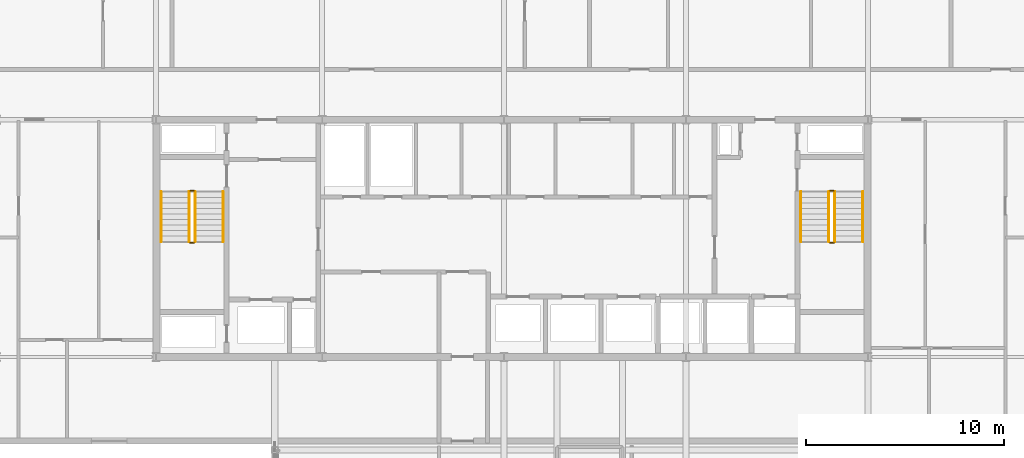
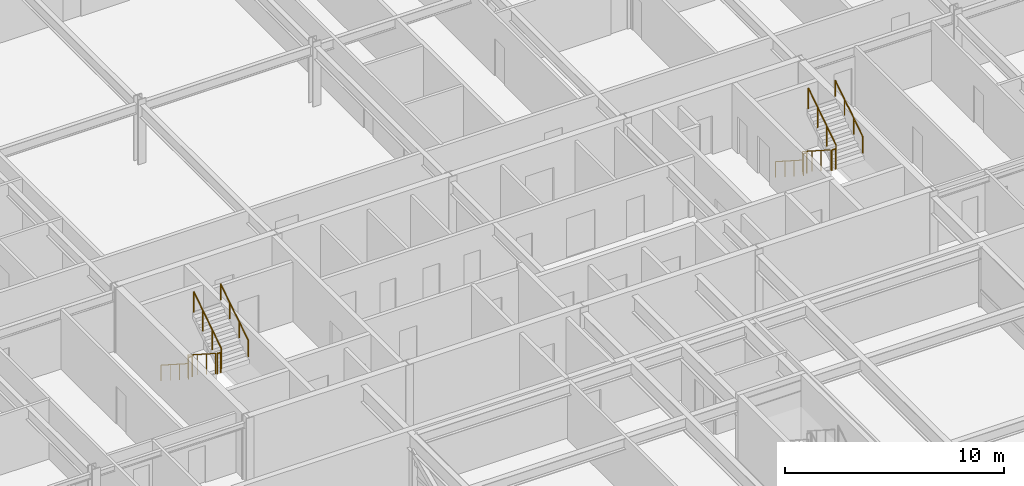
# One storey, part 35 of 36: 12 railings.
"""IFC4 building model written with IfcOpenShell, lengths in metres."""

from ifc_helpers import new_model, si_unit, direction, frame, origin, origin_2d, place, context, subcontext, project, spatial, circle, extrude, material, type_object, element, save


model = new_model("IFC4")

# Units and contexts
model_context = context("Model", 3, precision=1e-05, world=origin(), true_north=direction((0.0, 1.0)))
body_context = subcontext(model_context, "Body", "Model", "MODEL_VIEW")
ifc_project = project(units=[si_unit("LENGTHUNIT", "METRE"), si_unit("AREAUNIT", "SQUARE_METRE"), si_unit("VOLUMEUNIT", "CUBIC_METRE"), si_unit("PLANEANGLEUNIT", "RADIAN"), si_unit("MASSUNIT", "GRAM", prefix="KILO")], contexts=[model_context])

# Site, building, storey
site_placement = place(None, origin())
site = spatial("IfcSite", under=ifc_project, at=site_placement, CompositionType="ELEMENT")
building_placement = place(site_placement, origin())
building = spatial("IfcBuilding", under=site, at=building_placement, Name="Korimba Cascade Residences", CompositionType="ELEMENT")
storey_placement = place(building_placement, frame((0.0, 0.0, 139.300048828125)))
storey = spatial("IfcBuildingStorey", under=building, at=storey_placement, Name="L40", CompositionType="ELEMENT", Elevation=139.300048828125)

# Railings
ifc_material_1 = material(Name="Painted Steel Stairwell Guardrail", Category="steel")
railing_type_1 = type_object("IfcRailingType", Name="RLG-ST-GD1150", PredefinedType="GUARDRAIL", material=ifc_material_1)
railing_1_placement = place(storey_placement, frame((77.77001953125, 63.550048828125, 0.179931640625)))
element("IfcRailing", 1, at=railing_1_placement, inside=storey, type_object=railing_type_1, Name="L40 ST-W1 stair guard 1", PredefinedType="GUARDRAIL", context=body_context, shape_type="SweptSolid", body=[
    extrude(circle(Radius=0.02392578125, at=origin_2d()), frame((0.0, 0.0, 1.1259765625), z_axis=(0.0, -0.841162588446, 0.540782303519), x_axis=(1.0, 0.0, 0.0)), (0.0, 0.0, 1.0), 2.995849609375),
    extrude(circle(Radius=0.02099609375, at=origin_2d()), origin(), (0.0, 0.0, 1.0), 1.101806640625),
    extrude(circle(Radius=0.02099609375, at=origin_2d()), frame((0.0, -0.840087890625, 0.5400390625)), (0.0, 0.0, 1.0), 1.101806640625),
    extrude(circle(Radius=0.02099609375, at=origin_2d()), frame((0.0, -1.679931640625, 1.080078125)), (0.0, 0.0, 1.0), 1.101806640625),
    extrude(circle(Radius=0.02099609375, at=origin_2d()), frame((0.0, -2.52001953125, 1.6201171875)), (0.0, 0.0, 1.0), 1.101806640625),
])
railing_2_placement = place(storey_placement, frame((77.820068359375, 60.97998046875, 1.800048828125)))
element("IfcRailing", 2, at=railing_2_placement, inside=storey, type_object=railing_type_1, Name="L40 ST-W1 stair guard 2", PredefinedType="GUARDRAIL", context=body_context, shape_type="SweptSolid", body=[
    extrude(circle(Radius=0.02392578125, at=origin_2d()), frame((0.0, 0.0, 1.1259765625), z_axis=(1.0, 0.0, 0.0), x_axis=(0.0, 1.0, 0.0)), (0.0, 0.0, 1.0), 0.199951171875),
    extrude(circle(Radius=0.02099609375, at=origin_2d()), origin(), (0.0, 0.0, 1.0), 1.101806640625),
    extrude(circle(Radius=0.02099609375, at=origin_2d()), frame((0.199951171875, 0.0, 0.0)), (0.0, 0.0, 1.0), 1.101806640625),
])
railing_3_placement = place(storey_placement, frame((78.070068359375, 61.030029296875, 1.97998046875)))
element("IfcRailing", 3, at=railing_3_placement, inside=storey, type_object=railing_type_1, Name="L40 ST-W1 stair guard 3", PredefinedType="GUARDRAIL", context=body_context, shape_type="SweptSolid", body=[
    extrude(circle(Radius=0.02392578125, at=origin_2d()), frame((0.0, 0.0, 1.1259765625), z_axis=(0.0, 0.841199657755, 0.540724639528), x_axis=(-1.0, 0.0, 0.0)), (0.0, 0.0, 1.0), 2.995849609375),
    extrude(circle(Radius=0.02099609375, at=origin_2d()), origin(), (0.0, 0.0, 1.0), 1.101806640625),
    extrude(circle(Radius=0.02099609375, at=origin_2d()), frame((0.0, 0.840087890625, 0.5400390625)), (0.0, 0.0, 1.0), 1.101806640625),
    extrude(circle(Radius=0.02099609375, at=origin_2d()), frame((0.0, 1.679931640625, 1.079833984375)), (0.0, 0.0, 1.0), 1.101806640625),
    extrude(circle(Radius=0.02099609375, at=origin_2d()), frame((0.0, 2.52001953125, 1.619873046875)), (0.0, 0.0, 1.0), 1.101806640625),
])
railing_4_placement = place(storey_placement, frame((77.820068359375, 63.60009765625, 0.0)))
element("IfcRailing", 4, at=railing_4_placement, inside=storey, type_object=railing_type_1, Name="L40 ST-W1 stair guard 4", PredefinedType="GUARDRAIL", context=body_context, shape_type="SweptSolid", body=[
    extrude(circle(Radius=0.02392578125, at=origin_2d()), frame((0.0, 0.0, 1.1259765625), z_axis=(1.0, 0.0, 0.0), x_axis=(0.0, 1.0, 0.0)), (0.0, 0.0, 1.0), 0.199951171875),
    extrude(circle(Radius=0.02099609375, at=origin_2d()), origin(), (0.0, 0.0, 1.0), 1.101806640625),
    extrude(circle(Radius=0.02099609375, at=origin_2d()), frame((0.199951171875, 0.0, 0.0)), (0.0, 0.0, 1.0), 1.101806640625),
])
railing_5_placement = place(storey_placement, frame((110.1298828125, 63.550048828125, 0.179931640625)))
element("IfcRailing", 5, at=railing_5_placement, inside=storey, type_object=railing_type_1, Name="L40 ST-W2 stair guard 1", PredefinedType="GUARDRAIL", context=body_context, shape_type="SweptSolid", body=[
    extrude(circle(Radius=0.02392578125, at=origin_2d()), frame((0.0, 0.0, 1.1259765625), z_axis=(0.0, -0.841162588446, 0.540782303519), x_axis=(1.0, 0.0, 0.0)), (0.0, 0.0, 1.0), 2.995849609375),
    extrude(circle(Radius=0.02099609375, at=origin_2d()), origin(), (0.0, 0.0, 1.0), 1.101806640625),
    extrude(circle(Radius=0.02099609375, at=origin_2d()), frame((0.0, -0.840087890625, 0.5400390625)), (0.0, 0.0, 1.0), 1.101806640625),
    extrude(circle(Radius=0.02099609375, at=origin_2d()), frame((0.0, -1.679931640625, 1.080078125)), (0.0, 0.0, 1.0), 1.101806640625),
    extrude(circle(Radius=0.02099609375, at=origin_2d()), frame((0.0, -2.52001953125, 1.6201171875)), (0.0, 0.0, 1.0), 1.101806640625),
])
railing_6_placement = place(storey_placement, frame((110.179931640625, 60.97998046875, 1.800048828125)))
element("IfcRailing", 6, at=railing_6_placement, inside=storey, type_object=railing_type_1, Name="L40 ST-W2 stair guard 2", PredefinedType="GUARDRAIL", context=body_context, shape_type="SweptSolid", body=[
    extrude(circle(Radius=0.02392578125, at=origin_2d()), frame((0.0, 0.0, 1.1259765625), z_axis=(1.0, 0.0, 0.0), x_axis=(0.0, 1.0, 0.0)), (0.0, 0.0, 1.0), 0.199951171875),
    extrude(circle(Radius=0.02099609375, at=origin_2d()), origin(), (0.0, 0.0, 1.0), 1.101806640625),
    extrude(circle(Radius=0.02099609375, at=origin_2d()), frame((0.199951171875, 0.0, 0.0)), (0.0, 0.0, 1.0), 1.101806640625),
])
railing_7_placement = place(storey_placement, frame((110.429931640625, 61.030029296875, 1.97998046875)))
element("IfcRailing", 7, at=railing_7_placement, inside=storey, type_object=railing_type_1, Name="L40 ST-W2 stair guard 3", PredefinedType="GUARDRAIL", context=body_context, shape_type="SweptSolid", body=[
    extrude(circle(Radius=0.02392578125, at=origin_2d()), frame((0.0, 0.0, 1.1259765625), z_axis=(0.0, 0.841199657755, 0.540724639528), x_axis=(-1.0, 0.0, 0.0)), (0.0, 0.0, 1.0), 2.995849609375),
    extrude(circle(Radius=0.02099609375, at=origin_2d()), origin(), (0.0, 0.0, 1.0), 1.101806640625),
    extrude(circle(Radius=0.02099609375, at=origin_2d()), frame((0.0, 0.840087890625, 0.5400390625)), (0.0, 0.0, 1.0), 1.101806640625),
    extrude(circle(Radius=0.02099609375, at=origin_2d()), frame((0.0, 1.679931640625, 1.079833984375)), (0.0, 0.0, 1.0), 1.101806640625),
    extrude(circle(Radius=0.02099609375, at=origin_2d()), frame((0.0, 2.52001953125, 1.619873046875)), (0.0, 0.0, 1.0), 1.101806640625),
])
railing_8_placement = place(storey_placement, frame((110.179931640625, 63.60009765625, 0.0)))
element("IfcRailing", 8, at=railing_8_placement, inside=storey, type_object=railing_type_1, Name="L40 ST-W2 stair guard 4", PredefinedType="GUARDRAIL", context=body_context, shape_type="SweptSolid", body=[
    extrude(circle(Radius=0.02392578125, at=origin_2d()), frame((0.0, 0.0, 1.1259765625), z_axis=(1.0, 0.0, 0.0), x_axis=(0.0, 1.0, 0.0)), (0.0, 0.0, 1.0), 0.199951171875),
    extrude(circle(Radius=0.02099609375, at=origin_2d()), origin(), (0.0, 0.0, 1.0), 1.101806640625),
    extrude(circle(Radius=0.02099609375, at=origin_2d()), frame((0.199951171875, 0.0, 0.0)), (0.0, 0.0, 1.0), 1.101806640625),
])
ifc_material_2 = material(Name="Brushed Stainless Steel Handrail", Category="steel")
railing_type_2 = type_object("IfcRailingType", Name="RLG-ST-HR900", PredefinedType="HANDRAIL", material=ifc_material_2)
railing_9_placement = place(storey_placement, frame((76.35009765625, 63.550048828125, 0.36376953125)))
element("IfcRailing", 9, at=railing_9_placement, inside=storey, type_object=railing_type_2, Name="L40 ST-W1 stair handrail 1", PredefinedType="HANDRAIL", context=body_context, shape_type="SweptSolid", body=[
    extrude(circle(Radius=0.02392578125, at=origin_2d()), frame((0.0, 0.0, 0.8759765625), z_axis=(0.0, -0.841199657755, 0.540724639528), x_axis=(1.0, 0.0, 0.0)), (0.0, 0.0, 1.0), 2.995849609375),
    extrude(circle(Radius=0.02099609375, at=origin_2d()), origin(), (0.0, 0.0, 1.0), 0.851806640625),
    extrude(circle(Radius=0.02099609375, at=origin_2d()), frame((0.0, -0.840087890625, 0.5400390625)), (0.0, 0.0, 1.0), 0.851806640625),
    extrude(circle(Radius=0.02099609375, at=origin_2d()), frame((0.0, -1.679931640625, 1.079833984375)), (0.0, 0.0, 1.0), 0.851806640625),
    extrude(circle(Radius=0.02099609375, at=origin_2d()), frame((0.0, -2.52001953125, 1.619873046875)), (0.0, 0.0, 1.0), 0.851806640625),
])
railing_10_placement = place(storey_placement, frame((79.489990234375, 61.030029296875, 2.163818359375)))
element("IfcRailing", 10, at=railing_10_placement, inside=storey, type_object=railing_type_2, Name="L40 ST-W1 stair handrail 2", PredefinedType="HANDRAIL", context=body_context, shape_type="SweptSolid", body=[
    extrude(circle(Radius=0.02392578125, at=origin_2d()), frame((0.0, 0.0, 0.8759765625), z_axis=(0.0, 0.841199657755, 0.540724639528), x_axis=(-1.0, 0.0, 0.0)), (0.0, 0.0, 1.0), 2.995849609375),
    extrude(circle(Radius=0.02099609375, at=origin_2d()), origin(), (0.0, 0.0, 1.0), 0.851806640625),
    extrude(circle(Radius=0.02099609375, at=origin_2d()), frame((0.0, 0.840087890625, 0.5400390625)), (0.0, 0.0, 1.0), 0.851806640625),
    extrude(circle(Radius=0.02099609375, at=origin_2d()), frame((0.0, 1.679931640625, 1.079833984375)), (0.0, 0.0, 1.0), 0.851806640625),
    extrude(circle(Radius=0.02099609375, at=origin_2d()), frame((0.0, 2.52001953125, 1.619873046875)), (0.0, 0.0, 1.0), 0.851806640625),
])
railing_11_placement = place(storey_placement, frame((108.7099609375, 63.550048828125, 0.36376953125)))
element("IfcRailing", 11, at=railing_11_placement, inside=storey, type_object=railing_type_2, Name="L40 ST-W2 stair handrail 1", PredefinedType="HANDRAIL", context=body_context, shape_type="SweptSolid", body=[
    extrude(circle(Radius=0.02392578125, at=origin_2d()), frame((0.0, 0.0, 0.8759765625), z_axis=(0.0, -0.841199657755, 0.540724639528), x_axis=(1.0, 0.0, 0.0)), (0.0, 0.0, 1.0), 2.995849609375),
    extrude(circle(Radius=0.02099609375, at=origin_2d()), origin(), (0.0, 0.0, 1.0), 0.851806640625),
    extrude(circle(Radius=0.02099609375, at=origin_2d()), frame((0.0, -0.840087890625, 0.5400390625)), (0.0, 0.0, 1.0), 0.851806640625),
    extrude(circle(Radius=0.02099609375, at=origin_2d()), frame((0.0, -1.679931640625, 1.079833984375)), (0.0, 0.0, 1.0), 0.851806640625),
    extrude(circle(Radius=0.02099609375, at=origin_2d()), frame((0.0, -2.52001953125, 1.619873046875)), (0.0, 0.0, 1.0), 0.851806640625),
])
railing_12_placement = place(storey_placement, frame((111.85009765625, 61.030029296875, 2.163818359375)))
element("IfcRailing", 12, at=railing_12_placement, inside=storey, type_object=railing_type_2, Name="L40 ST-W2 stair handrail 2", PredefinedType="HANDRAIL", context=body_context, shape_type="SweptSolid", body=[
    extrude(circle(Radius=0.02392578125, at=origin_2d()), frame((0.0, 0.0, 0.8759765625), z_axis=(0.0, 0.841199657755, 0.540724639528), x_axis=(-1.0, 0.0, 0.0)), (0.0, 0.0, 1.0), 2.995849609375),
    extrude(circle(Radius=0.02099609375, at=origin_2d()), origin(), (0.0, 0.0, 1.0), 0.851806640625),
    extrude(circle(Radius=0.02099609375, at=origin_2d()), frame((0.0, 0.840087890625, 0.5400390625)), (0.0, 0.0, 1.0), 0.851806640625),
    extrude(circle(Radius=0.02099609375, at=origin_2d()), frame((0.0, 1.679931640625, 1.079833984375)), (0.0, 0.0, 1.0), 0.851806640625),
    extrude(circle(Radius=0.02099609375, at=origin_2d()), frame((0.0, 2.52001953125, 1.619873046875)), (0.0, 0.0, 1.0), 0.851806640625),
])

save(model, "model.ifc")
